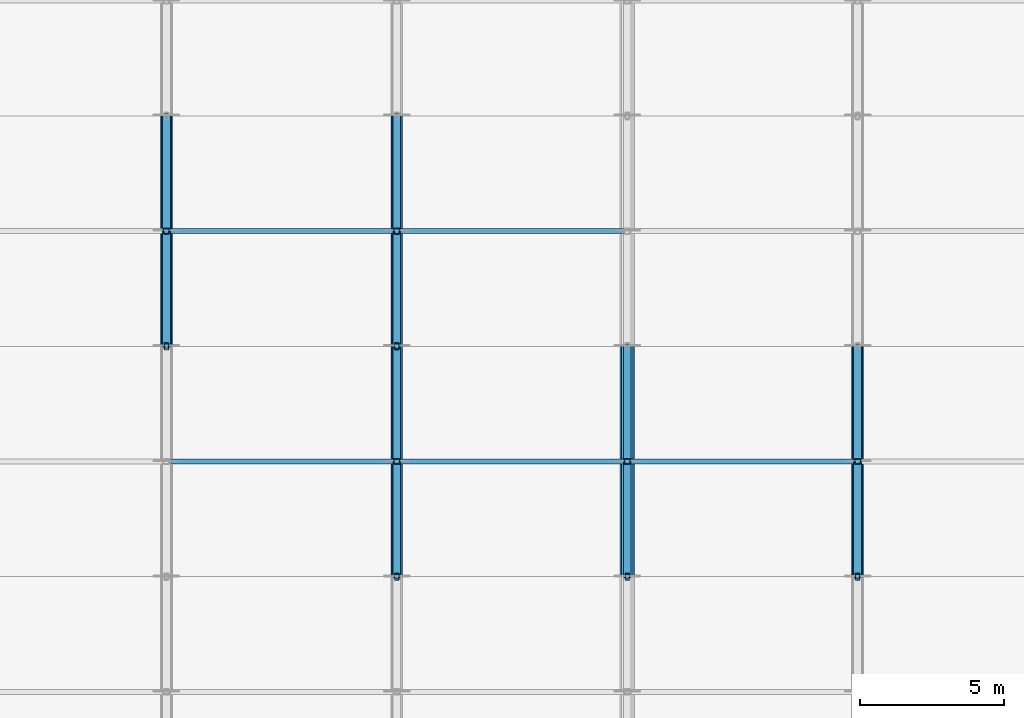
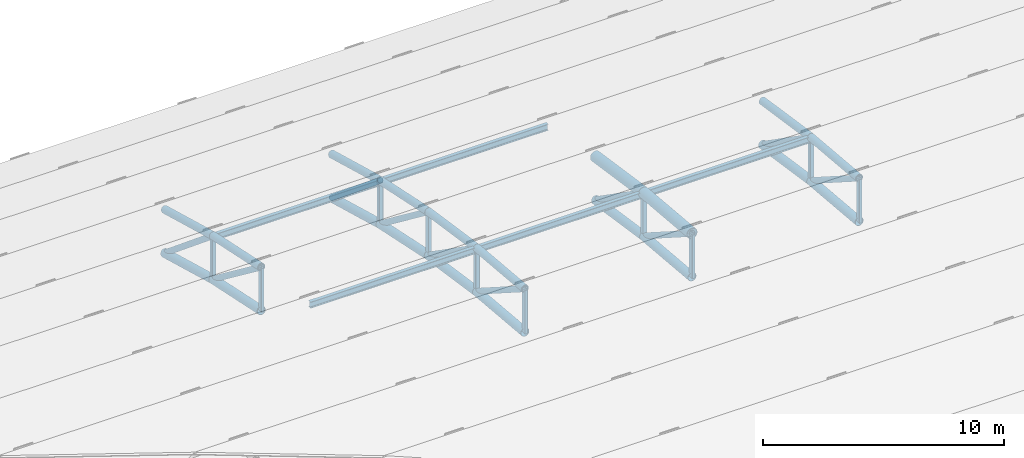
# One storey, part 19 of 98: 45 members.
"""IFC4 building model written with IfcOpenShell, lengths in metres."""

from ifc_helpers import new_model, si_unit, direction, frame, origin, origin_2d, place, context, subcontext, project, spatial, hollow_rectangle, hollow_circle, i_section, extrude, material, material_profile, profile_set, type_object, element, save


model = new_model("IFC4")

# Units and contexts
model_context = context("Model", 3, precision=1e-05, world=origin(), true_north=direction((0.0, 1.0)))
body_context = subcontext(model_context, "Body", "Model", "MODEL_VIEW")
ifc_project = project(units=[si_unit("LENGTHUNIT", "METRE"), si_unit("AREAUNIT", "SQUARE_METRE"), si_unit("VOLUMEUNIT", "CUBIC_METRE"), si_unit("PLANEANGLEUNIT", "RADIAN"), si_unit("MASSUNIT", "GRAM", prefix="KILO")], contexts=[model_context])

# Site, building, storey
site_placement = place(None, origin())
site = spatial("IfcSite", under=ifc_project, at=site_placement, CompositionType="ELEMENT")
building_placement = place(site_placement, origin())
building = spatial("IfcBuilding", under=site, at=building_placement, Name="Tlacozan Convention Centre", CompositionType="ELEMENT")
storey_placement = place(building_placement, frame((0.0, 0.0, 25.800048828125)))
storey = spatial("IfcBuildingStorey", under=building, at=storey_placement, Name="Roof", CompositionType="ELEMENT", Elevation=25.800048828125)

# Members
ifc_material_1 = material(Name="Steel ASTM A500 Grade C", Category="steel")
ifc_material_profile_1 = material_profile(ifc_material_1, hollow_circle(Radius=0.203125, WallThickness=0.015869140625, at=origin_2d()), Name="OC 406.4x15.9")
ifc_profile_set_1 = profile_set([ifc_material_profile_1], Name="Steel ASTM A500 Grade C")
member_type_1 = type_object("IfcMemberType", Name="Arch Bottom Chord OC 406.4x15.9", PredefinedType="CHORD", material=ifc_profile_set_1)
member_1_placement = place(storey_placement, frame((32.0, 106.0, -5.8671875), z_axis=(0.0, 0.978552953366, -0.205995430674), x_axis=(-1.0, 0.0, 0.0)))
element("IfcMember", 1, at=member_1_placement, inside=storey, type_object=member_type_1, Name="V2A Roof Truss 5 Bottom Chord 12", PredefinedType="CHORD", context=body_context, shape_type="SweptSolid", body=[
    extrude(hollow_circle(Radius=0.203125, WallThickness=0.015869140625, at=origin_2d()), origin(), (0.0, 0.0, 1.0), 4.087646484375),
])
member_2_placement = place(storey_placement, frame((32.0, 110.0, -6.709228515625), z_axis=(0.0, 0.964289609145, -0.26485005134), x_axis=(-1.0, 0.0, 0.0)))
element("IfcMember", 2, at=member_2_placement, inside=storey, type_object=member_type_1, Name="V2A Roof Truss 5 Bottom Chord 13", PredefinedType="CHORD", context=body_context, shape_type="SweptSolid", body=[
    extrude(hollow_circle(Radius=0.203125, WallThickness=0.015869140625, at=origin_2d()), origin(), (0.0, 0.0, 1.0), 4.148193359375),
])
member_3_placement = place(storey_placement, frame((40.0, 98.0, -4.917724609375), z_axis=(0.0, 0.996095959668, -0.088277058926), x_axis=(-1.0, 0.0, 0.0)))
element("IfcMember", 3, at=member_3_placement, inside=storey, type_object=member_type_1, Name="V2A Roof Truss 6 Bottom Chord 10", PredefinedType="CHORD", context=body_context, shape_type="SweptSolid", body=[
    extrude(hollow_circle(Radius=0.203125, WallThickness=0.015869140625, at=origin_2d()), origin(), (0.0, 0.0, 1.0), 4.015625),
])
member_4_placement = place(storey_placement, frame((40.0, 102.0, -5.272216796875), z_axis=(0.0, 0.98911804631, -0.147124064872), x_axis=(-1.0, 0.0, 0.0)))
element("IfcMember", 4, at=member_4_placement, inside=storey, type_object=member_type_1, Name="V2A Roof Truss 6 Bottom Chord 11", PredefinedType="CHORD", context=body_context, shape_type="SweptSolid", body=[
    extrude(hollow_circle(Radius=0.203125, WallThickness=0.015869140625, at=origin_2d()), origin(), (0.0, 0.0, 1.0), 4.0439453125),
])
member_5_placement = place(storey_placement, frame((40.0, 106.0, -5.8671875), z_axis=(0.0, 0.978552953366, -0.205995430674), x_axis=(-1.0, 0.0, 0.0)))
element("IfcMember", 5, at=member_5_placement, inside=storey, type_object=member_type_1, Name="V2A Roof Truss 6 Bottom Chord 12", PredefinedType="CHORD", context=body_context, shape_type="SweptSolid", body=[
    extrude(hollow_circle(Radius=0.203125, WallThickness=0.015869140625, at=origin_2d()), origin(), (0.0, 0.0, 1.0), 4.087646484375),
])
member_6_placement = place(storey_placement, frame((40.0, 110.0, -6.709228515625), z_axis=(0.0, 0.964289609145, -0.26485005134), x_axis=(-1.0, 0.0, 0.0)))
element("IfcMember", 6, at=member_6_placement, inside=storey, type_object=member_type_1, Name="V2A Roof Truss 6 Bottom Chord 13", PredefinedType="CHORD", context=body_context, shape_type="SweptSolid", body=[
    extrude(hollow_circle(Radius=0.203125, WallThickness=0.015869140625, at=origin_2d()), origin(), (0.0, 0.0, 1.0), 4.148193359375),
])
member_7_placement = place(storey_placement, frame((48.0, 98.0, -4.917724609375), z_axis=(0.0, 0.996095959668, -0.088277058926), x_axis=(-1.0, 0.0, 0.0)))
element("IfcMember", 7, at=member_7_placement, inside=storey, type_object=member_type_1, Name="V2A Roof Truss 7 Bottom Chord 10", PredefinedType="CHORD", context=body_context, shape_type="SweptSolid", body=[
    extrude(hollow_circle(Radius=0.203125, WallThickness=0.015869140625, at=origin_2d()), origin(), (0.0, 0.0, 1.0), 4.015625),
])
member_8_placement = place(storey_placement, frame((48.0, 102.0, -5.272216796875), z_axis=(0.0, 0.98911804631, -0.147124064872), x_axis=(-1.0, 0.0, 0.0)))
element("IfcMember", 8, at=member_8_placement, inside=storey, type_object=member_type_1, Name="V2A Roof Truss 7 Bottom Chord 11", PredefinedType="CHORD", context=body_context, shape_type="SweptSolid", body=[
    extrude(hollow_circle(Radius=0.203125, WallThickness=0.015869140625, at=origin_2d()), origin(), (0.0, 0.0, 1.0), 4.0439453125),
])
member_9_placement = place(storey_placement, frame((56.0, 98.0, -4.917724609375), z_axis=(0.0, 0.996095959668, -0.088277058926), x_axis=(-1.0, 0.0, 0.0)))
element("IfcMember", 9, at=member_9_placement, inside=storey, type_object=member_type_1, Name="V2A Roof Truss 8 Bottom Chord 10", PredefinedType="CHORD", context=body_context, shape_type="SweptSolid", body=[
    extrude(hollow_circle(Radius=0.203125, WallThickness=0.015869140625, at=origin_2d()), origin(), (0.0, 0.0, 1.0), 4.015625),
])
member_10_placement = place(storey_placement, frame((56.0, 102.0, -5.272216796875), z_axis=(0.0, 0.98911804631, -0.147124064872), x_axis=(-1.0, 0.0, 0.0)))
element("IfcMember", 10, at=member_10_placement, inside=storey, type_object=member_type_1, Name="V2A Roof Truss 8 Bottom Chord 11", PredefinedType="CHORD", context=body_context, shape_type="SweptSolid", body=[
    extrude(hollow_circle(Radius=0.203125, WallThickness=0.015869140625, at=origin_2d()), origin(), (0.0, 0.0, 1.0), 4.0439453125),
])
ifc_material_profile_2 = material_profile(ifc_material_1, hollow_circle(Radius=0.25390625, WallThickness=0.01904296875, at=origin_2d()), Name="OC 508.0x19.1")
ifc_profile_set_2 = profile_set([ifc_material_profile_2], Name="Steel ASTM A500 Grade C")
member_type_2 = type_object("IfcMemberType", Name="Arch Top Chord OC 508x19.1", PredefinedType="CHORD", material=ifc_profile_set_2)
member_11_placement = place(storey_placement, frame((48.0, 98.0, -2.7177734375), z_axis=(0.0, 0.996095959668, -0.088277058926), x_axis=(-1.0, 0.0, 0.0)))
element("IfcMember", 11, at=member_11_placement, inside=storey, type_object=member_type_2, Name="V2A Roof Truss 7 Top Chord 10", PredefinedType="CHORD", context=body_context, shape_type="SweptSolid", body=[
    extrude(hollow_circle(Radius=0.25390625, WallThickness=0.01904296875, at=origin_2d()), origin(), (0.0, 0.0, 1.0), 4.015625),
])
member_12_placement = place(storey_placement, frame((48.0, 102.0, -3.072265625), z_axis=(0.0, 0.98911804631, -0.147124064872), x_axis=(-1.0, 0.0, 0.0)))
element("IfcMember", 12, at=member_12_placement, inside=storey, type_object=member_type_2, Name="V2A Roof Truss 7 Top Chord 11", PredefinedType="CHORD", context=body_context, shape_type="SweptSolid", body=[
    extrude(hollow_circle(Radius=0.25390625, WallThickness=0.01904296875, at=origin_2d()), origin(), (0.0, 0.0, 1.0), 4.0439453125),
])
ifc_material_profile_3 = material_profile(ifc_material_1, hollow_circle(Radius=0.136474609375, WallThickness=0.0126953125, at=origin_2d()), Name="OC 273.1x12.7")
ifc_profile_set_3 = profile_set([ifc_material_profile_3], Name="Steel ASTM A500 Grade C")
member_type_3 = type_object("IfcMemberType", Name="Arch Web Diagonal OC 273.1x12.7", PredefinedType="BRACE", material=ifc_profile_set_3)
member_13_placement = place(storey_placement, frame((32.0, 106.0, -3.667236328125), z_axis=(0.0, 0.795971176065, -0.605334524766), x_axis=(-1.0, 0.0, 0.0)))
element("IfcMember", 13, at=member_13_placement, inside=storey, type_object=member_type_3, Name="V2A Roof Truss 5 Web Diagonal 12", PredefinedType="BRACE", context=body_context, shape_type="SweptSolid", body=[
    extrude(hollow_circle(Radius=0.136474609375, WallThickness=0.0126953125, at=origin_2d()), origin(), (0.0, 0.0, 1.0), 5.025390625),
])
member_14_placement = place(storey_placement, frame((32.0, 110.0, -4.50927734375), z_axis=(0.0, 0.771507331308, -0.63622043172), x_axis=(-1.0, 0.0, 0.0)))
element("IfcMember", 14, at=member_14_placement, inside=storey, type_object=member_type_3, Name="V2A Roof Truss 5 Web Diagonal 13", PredefinedType="BRACE", context=body_context, shape_type="SweptSolid", body=[
    extrude(hollow_circle(Radius=0.136474609375, WallThickness=0.0126953125, at=origin_2d()), origin(), (0.0, 0.0, 1.0), 5.1845703125),
])
member_15_placement = place(storey_placement, frame((40.0, 98.0, -2.7177734375), z_axis=(0.0, 0.842802563321, -0.538222852785), x_axis=(-1.0, 0.0, 0.0)))
element("IfcMember", 15, at=member_15_placement, inside=storey, type_object=member_type_3, Name="V2A Roof Truss 6 Web Diagonal 10", PredefinedType="BRACE", context=body_context, shape_type="SweptSolid", body=[
    extrude(hollow_circle(Radius=0.136474609375, WallThickness=0.0126953125, at=origin_2d()), origin(), (0.0, 0.0, 1.0), 4.74609375),
])
member_16_placement = place(storey_placement, frame((40.0, 102.0, -3.072265625), z_axis=(0.0, 0.819720523855, -0.572763705877), x_axis=(-1.0, 0.0, 0.0)))
element("IfcMember", 16, at=member_16_placement, inside=storey, type_object=member_type_3, Name="V2A Roof Truss 6 Web Diagonal 11", PredefinedType="BRACE", context=body_context, shape_type="SweptSolid", body=[
    extrude(hollow_circle(Radius=0.136474609375, WallThickness=0.0126953125, at=origin_2d()), origin(), (0.0, 0.0, 1.0), 4.879638671875),
])
member_17_placement = place(storey_placement, frame((40.0, 106.0, -3.667236328125), z_axis=(0.0, 0.795971176065, -0.605334524766), x_axis=(-1.0, 0.0, 0.0)))
element("IfcMember", 17, at=member_17_placement, inside=storey, type_object=member_type_3, Name="V2A Roof Truss 6 Web Diagonal 12", PredefinedType="BRACE", context=body_context, shape_type="SweptSolid", body=[
    extrude(hollow_circle(Radius=0.136474609375, WallThickness=0.0126953125, at=origin_2d()), origin(), (0.0, 0.0, 1.0), 5.025390625),
])
member_18_placement = place(storey_placement, frame((40.0, 110.0, -4.50927734375), z_axis=(0.0, 0.771507331308, -0.63622043172), x_axis=(-1.0, 0.0, 0.0)))
element("IfcMember", 18, at=member_18_placement, inside=storey, type_object=member_type_3, Name="V2A Roof Truss 6 Web Diagonal 13", PredefinedType="BRACE", context=body_context, shape_type="SweptSolid", body=[
    extrude(hollow_circle(Radius=0.136474609375, WallThickness=0.0126953125, at=origin_2d()), origin(), (0.0, 0.0, 1.0), 5.1845703125),
])
member_19_placement = place(storey_placement, frame((48.0, 98.0, -2.7177734375), z_axis=(0.0, 0.842802563321, -0.538222852785), x_axis=(-1.0, 0.0, 0.0)))
element("IfcMember", 19, at=member_19_placement, inside=storey, type_object=member_type_3, Name="V2A Roof Truss 7 Web Diagonal 10", PredefinedType="BRACE", context=body_context, shape_type="SweptSolid", body=[
    extrude(hollow_circle(Radius=0.136474609375, WallThickness=0.0126953125, at=origin_2d()), origin(), (0.0, 0.0, 1.0), 4.74609375),
])
member_20_placement = place(storey_placement, frame((48.0, 102.0, -3.072265625), z_axis=(0.0, 0.819720523855, -0.572763705877), x_axis=(-1.0, 0.0, 0.0)))
element("IfcMember", 20, at=member_20_placement, inside=storey, type_object=member_type_3, Name="V2A Roof Truss 7 Web Diagonal 11", PredefinedType="BRACE", context=body_context, shape_type="SweptSolid", body=[
    extrude(hollow_circle(Radius=0.136474609375, WallThickness=0.0126953125, at=origin_2d()), origin(), (0.0, 0.0, 1.0), 4.879638671875),
])
member_21_placement = place(storey_placement, frame((56.0, 98.0, -2.7177734375), z_axis=(0.0, 0.842802563321, -0.538222852785), x_axis=(-1.0, 0.0, 0.0)))
element("IfcMember", 21, at=member_21_placement, inside=storey, type_object=member_type_3, Name="V2A Roof Truss 8 Web Diagonal 10", PredefinedType="BRACE", context=body_context, shape_type="SweptSolid", body=[
    extrude(hollow_circle(Radius=0.136474609375, WallThickness=0.0126953125, at=origin_2d()), origin(), (0.0, 0.0, 1.0), 4.74609375),
])
member_22_placement = place(storey_placement, frame((56.0, 102.0, -3.072265625), z_axis=(0.0, 0.819720523855, -0.572763705877), x_axis=(-1.0, 0.0, 0.0)))
element("IfcMember", 22, at=member_22_placement, inside=storey, type_object=member_type_3, Name="V2A Roof Truss 8 Web Diagonal 11", PredefinedType="BRACE", context=body_context, shape_type="SweptSolid", body=[
    extrude(hollow_circle(Radius=0.136474609375, WallThickness=0.0126953125, at=origin_2d()), origin(), (0.0, 0.0, 1.0), 4.879638671875),
])
ifc_material_profile_4 = material_profile(ifc_material_1, hollow_rectangle(XDim=0.203125, YDim=0.203125, WallThickness=0.0126953125, InnerFilletRadius=0.0126953125, OuterFilletRadius=0.02490234375, at=origin_2d()), Name="OR 203x203x12.7")
ifc_profile_set_4 = profile_set([ifc_material_profile_4], Name="Steel ASTM A500 Grade C")
member_type_4 = type_object("IfcMemberType", Name="Arch Web Strut OR 203x203x12.7", PredefinedType="STRUT", material=ifc_profile_set_4)
for number, where, z_axis, x_axis, name in (
    (23, (32.0, 110.0, -6.709228515625), (0.0, 0.0, 1.0), (1.0, 0.0, 0.0), "V2A Roof Truss 5 Vertical Strut 13"),
    (24, (40.0, 102.0, -5.272216796875), (0.0, 0.0, 1.0), (1.0, 0.0, 0.0), "V2A Roof Truss 6 Vertical Strut 11"),
    (25, (40.0, 110.0, -6.709228515625), (0.0, 0.0, 1.0), (1.0, 0.0, 0.0), "V2A Roof Truss 6 Vertical Strut 13"),
    (26, (48.0, 102.0, -5.272216796875), (0.0, 0.0, 1.0), (1.0, 0.0, 0.0), "V2A Roof Truss 7 Vertical Strut 11"),
    (27, (56.0, 102.0, -5.272216796875), (0.0, 0.0, 1.0), (1.0, 0.0, 0.0), "V2A Roof Truss 8 Vertical Strut 11"),
):
    element("IfcMember", number, at=place(storey_placement, frame(where, z_axis=z_axis, x_axis=x_axis)), inside=storey, type_object=member_type_4, Name=name, PredefinedType="STRUT", context=body_context, shape_type="SweptSolid", body=[
        extrude(hollow_rectangle(XDim=0.203125, YDim=0.203125, WallThickness=0.0126953125, InnerFilletRadius=0.0126953125, OuterFilletRadius=0.02490234375, at=origin_2d()), origin(), (0.0, 0.0, 1.0), 2.199951171875),
    ])
ifc_material_2 = material(Name="Steel ASTM A992 Grade 50", Category="steel")
ifc_material_profile_5 = material_profile(ifc_material_2, i_section(OverallWidth=0.1669921875, OverallDepth=0.31689453125, WebThickness=0.007568359375, FlangeThickness=0.01318359375, FilletRadius=0.010009765625, at=origin_2d()), Name="IR 305x52.2")
ifc_profile_set_5 = profile_set([ifc_material_profile_5], Name="Steel ASTM A992 Grade 50")
member_type_5 = type_object("IfcMemberType", Name="Roof Purlin IR 305x52.2", PredefinedType="PURLIN", material=ifc_profile_set_5)
for number, where, z_axis, x_axis, name in (
    (28, (32.0, 102.0, -3.13720703125), (1.0, 0.0, 0.0), (0.0, 1.0, 0.0), "V2A Roof Truss Purlin 5.11"),
    (29, (32.0, 110.0, -4.57421875), (1.0, 0.0, 0.0), (0.0, 1.0, 0.0), "V2A Roof Truss Purlin 5.13"),
    (30, (40.0, 102.0, -3.13720703125), (1.0, 0.0, 0.0), (0.0, 1.0, 0.0), "V2A Roof Truss Purlin 6.11"),
    (31, (40.0, 110.0, -4.57421875), (1.0, 0.0, 0.0), (0.0, 1.0, 0.0), "V2A Roof Truss Purlin 6.13"),
    (32, (48.0, 102.0, -3.13720703125), (1.0, 0.0, 0.0), (0.0, 1.0, 0.0), "V2A Roof Truss Purlin 7.11"),
):
    element("IfcMember", number, at=place(storey_placement, frame(where, z_axis=z_axis, x_axis=x_axis)), inside=storey, type_object=member_type_5, Name=name, PredefinedType="PURLIN", context=body_context, shape_type="SweptSolid", body=[
        extrude(i_section(OverallWidth=0.1669921875, OverallDepth=0.31689453125, WebThickness=0.007568359375, FlangeThickness=0.01318359375, FilletRadius=0.010009765625, at=origin_2d()), origin(), (0.0, 0.0, 1.0), 8.0),
    ])
ifc_material_profile_6 = material_profile(ifc_material_1, hollow_circle(Radius=0.177734375, WallThickness=0.015869140625, at=origin_2d()), Name="OC 355.6x15.9")
ifc_profile_set_6 = profile_set([ifc_material_profile_6], Name="Steel ASTM A500 Grade C")
member_type_6 = type_object("IfcMemberType", Name="Secondary Arch Chord OC 355.6x15.9", PredefinedType="CHORD", material=ifc_profile_set_6)
member_23_placement = place(storey_placement, frame((32.0, 106.0, -3.667236328125), z_axis=(0.0, 0.978552953366, -0.205995430674), x_axis=(-1.0, 0.0, 0.0)))
element("IfcMember", 33, at=member_23_placement, inside=storey, type_object=member_type_6, Name="V2A Roof Truss 5 Top Chord 12", PredefinedType="CHORD", context=body_context, shape_type="SweptSolid", body=[
    extrude(hollow_circle(Radius=0.177734375, WallThickness=0.015869140625, at=origin_2d()), origin(), (0.0, 0.0, 1.0), 4.087646484375),
])
member_24_placement = place(storey_placement, frame((32.0, 110.0, -4.50927734375), z_axis=(0.0, 0.964304639076, -0.264795322949), x_axis=(-1.0, 0.0, 0.0)))
element("IfcMember", 34, at=member_24_placement, inside=storey, type_object=member_type_6, Name="V2A Roof Truss 5 Top Chord 13", PredefinedType="CHORD", context=body_context, shape_type="SweptSolid", body=[
    extrude(hollow_circle(Radius=0.177734375, WallThickness=0.015869140625, at=origin_2d()), origin(), (0.0, 0.0, 1.0), 4.14794921875),
])
member_25_placement = place(storey_placement, frame((40.0, 98.0, -2.7177734375), z_axis=(0.0, 0.996095959668, -0.088277058926), x_axis=(-1.0, 0.0, 0.0)))
element("IfcMember", 35, at=member_25_placement, inside=storey, type_object=member_type_6, Name="V2A Roof Truss 6 Top Chord 10", PredefinedType="CHORD", context=body_context, shape_type="SweptSolid", body=[
    extrude(hollow_circle(Radius=0.177734375, WallThickness=0.015869140625, at=origin_2d()), origin(), (0.0, 0.0, 1.0), 4.015625),
])
member_26_placement = place(storey_placement, frame((40.0, 102.0, -3.072265625), z_axis=(0.0, 0.98911804631, -0.147124064872), x_axis=(-1.0, 0.0, 0.0)))
element("IfcMember", 36, at=member_26_placement, inside=storey, type_object=member_type_6, Name="V2A Roof Truss 6 Top Chord 11", PredefinedType="CHORD", context=body_context, shape_type="SweptSolid", body=[
    extrude(hollow_circle(Radius=0.177734375, WallThickness=0.015869140625, at=origin_2d()), origin(), (0.0, 0.0, 1.0), 4.0439453125),
])
member_27_placement = place(storey_placement, frame((40.0, 106.0, -3.667236328125), z_axis=(0.0, 0.978552953366, -0.205995430674), x_axis=(-1.0, 0.0, 0.0)))
element("IfcMember", 37, at=member_27_placement, inside=storey, type_object=member_type_6, Name="V2A Roof Truss 6 Top Chord 12", PredefinedType="CHORD", context=body_context, shape_type="SweptSolid", body=[
    extrude(hollow_circle(Radius=0.177734375, WallThickness=0.015869140625, at=origin_2d()), origin(), (0.0, 0.0, 1.0), 4.087646484375),
])
member_28_placement = place(storey_placement, frame((40.0, 110.0, -4.50927734375), z_axis=(0.0, 0.964304639076, -0.264795322949), x_axis=(-1.0, 0.0, 0.0)))
element("IfcMember", 38, at=member_28_placement, inside=storey, type_object=member_type_6, Name="V2A Roof Truss 6 Top Chord 13", PredefinedType="CHORD", context=body_context, shape_type="SweptSolid", body=[
    extrude(hollow_circle(Radius=0.177734375, WallThickness=0.015869140625, at=origin_2d()), origin(), (0.0, 0.0, 1.0), 4.14794921875),
])
member_29_placement = place(storey_placement, frame((56.0, 98.0, -2.7177734375), z_axis=(0.0, 0.996095959668, -0.088277058926), x_axis=(-1.0, 0.0, 0.0)))
element("IfcMember", 39, at=member_29_placement, inside=storey, type_object=member_type_6, Name="V2A Roof Truss 8 Top Chord 10", PredefinedType="CHORD", context=body_context, shape_type="SweptSolid", body=[
    extrude(hollow_circle(Radius=0.177734375, WallThickness=0.015869140625, at=origin_2d()), origin(), (0.0, 0.0, 1.0), 4.015625),
])
member_30_placement = place(storey_placement, frame((56.0, 102.0, -3.072265625), z_axis=(0.0, 0.98911804631, -0.147124064872), x_axis=(-1.0, 0.0, 0.0)))
element("IfcMember", 40, at=member_30_placement, inside=storey, type_object=member_type_6, Name="V2A Roof Truss 8 Top Chord 11", PredefinedType="CHORD", context=body_context, shape_type="SweptSolid", body=[
    extrude(hollow_circle(Radius=0.177734375, WallThickness=0.015869140625, at=origin_2d()), origin(), (0.0, 0.0, 1.0), 4.0439453125),
])
ifc_material_profile_7 = material_profile(ifc_material_1, hollow_rectangle(XDim=0.15234375, YDim=0.25390625, WallThickness=0.0126953125, InnerFilletRadius=0.0126953125, OuterFilletRadius=0.02490234375, at=origin_2d()), Name="OR 254x152x12.7")
ifc_profile_set_7 = profile_set([ifc_material_profile_7], Name="Steel ASTM A500 Grade C")
member_type_7 = type_object("IfcMemberType", Name="Truss Secondary Strut OR 254x152x12.7", PredefinedType="STRUT", material=ifc_profile_set_7)
for number, where, z_axis, x_axis, name in (
    (41, (32.0, 106.0, -5.8671875), (0.0, 0.0, 1.0), (1.0, 0.0, 0.0), "V2A Roof Truss 5 Vertical Strut 12"),
    (42, (40.0, 98.0, -4.917724609375), (0.0, 0.0, 1.0), (1.0, 0.0, 0.0), "V2A Roof Truss 6 Vertical Strut 10"),
    (43, (40.0, 106.0, -5.8671875), (0.0, 0.0, 1.0), (1.0, 0.0, 0.0), "V2A Roof Truss 6 Vertical Strut 12"),
    (44, (48.0, 98.0, -4.917724609375), (0.0, 0.0, 1.0), (1.0, 0.0, 0.0), "V2A Roof Truss 7 Vertical Strut 10"),
    (45, (56.0, 98.0, -4.917724609375), (0.0, 0.0, 1.0), (1.0, 0.0, 0.0), "V2A Roof Truss 8 Vertical Strut 10"),
):
    element("IfcMember", number, at=place(storey_placement, frame(where, z_axis=z_axis, x_axis=x_axis)), inside=storey, type_object=member_type_7, Name=name, PredefinedType="STRUT", context=body_context, shape_type="SweptSolid", body=[
        extrude(hollow_rectangle(XDim=0.15234375, YDim=0.25390625, WallThickness=0.0126953125, InnerFilletRadius=0.0126953125, OuterFilletRadius=0.02490234375, at=origin_2d()), origin(), (0.0, 0.0, 1.0), 2.199951171875),
    ])

save(model, "model.ifc")
